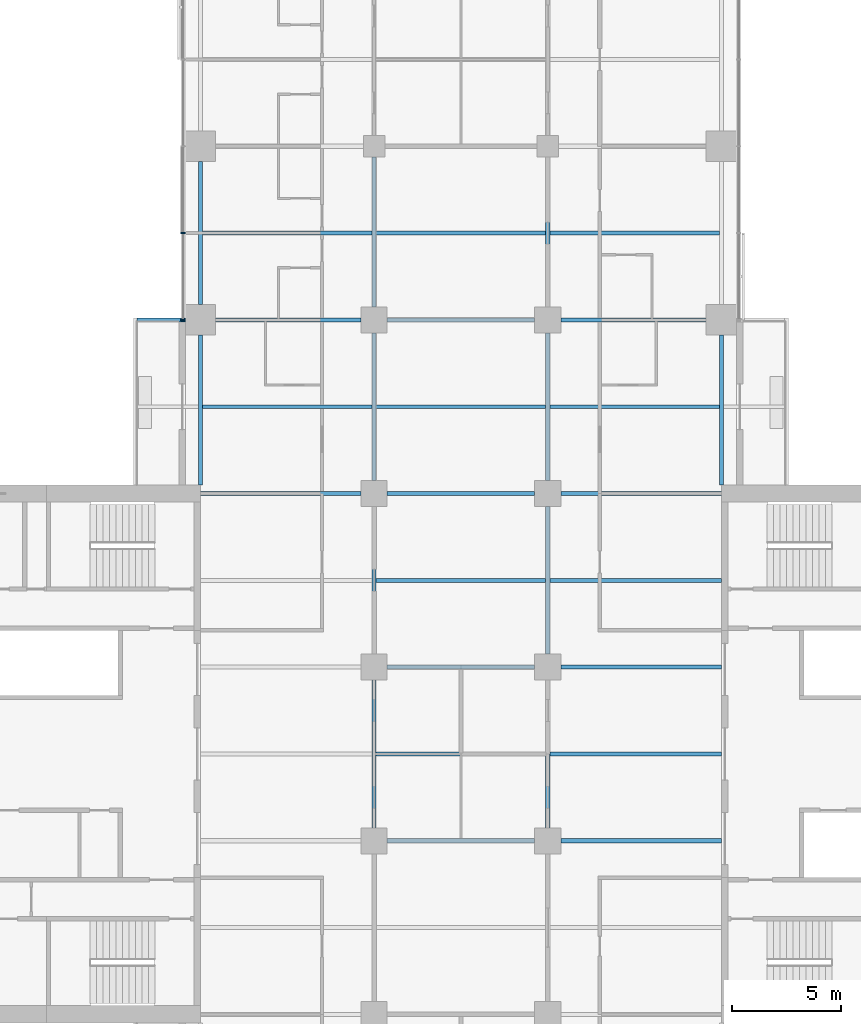
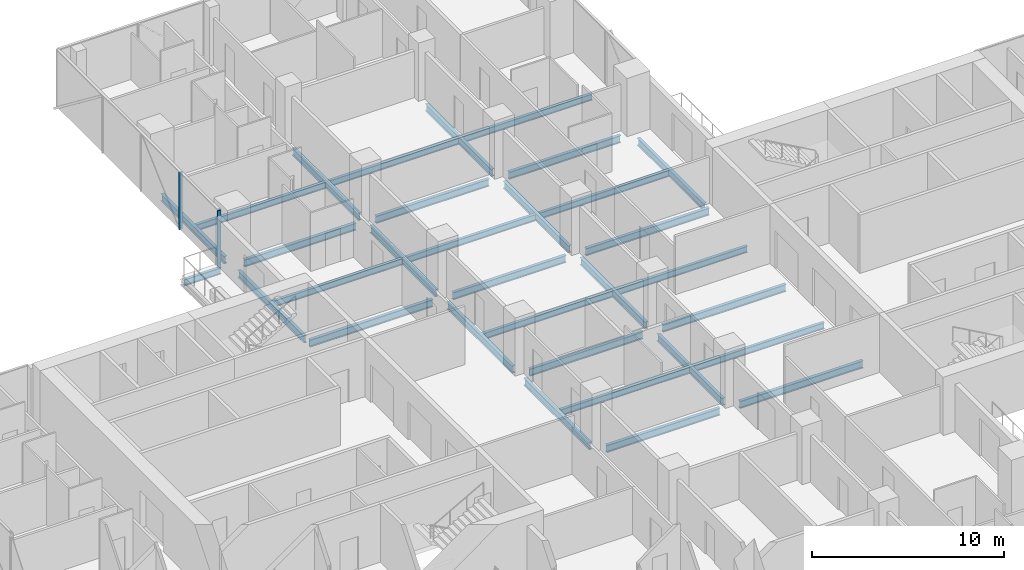
# One storey, part 9 of 27: 32 beams, 2 members, 1 element without a shape of its own.
"""IFC4 building model written with IfcOpenShell, lengths in metres."""

from ifc_helpers import new_model, si_unit, direction, frame, origin, origin_2d, place, context, subcontext, project, spatial, rectangle, i_section, extrude, material, material_profile, profile_set, type_object, element, aggregate, save


model = new_model("IFC4")

# Units and contexts
model_context = context("Model", 3, precision=1e-05, world=origin(), true_north=direction((0.0, 1.0)))
body_context = subcontext(model_context, "Body", "Model", "MODEL_VIEW")
ifc_project = project(units=[si_unit("LENGTHUNIT", "METRE"), si_unit("AREAUNIT", "SQUARE_METRE"), si_unit("VOLUMEUNIT", "CUBIC_METRE"), si_unit("PLANEANGLEUNIT", "RADIAN"), si_unit("MASSUNIT", "GRAM", prefix="KILO")], contexts=[model_context])

# Site, building, storey
site_placement = place(None, origin())
site = spatial("IfcSite", under=ifc_project, at=site_placement, CompositionType="ELEMENT")
building_placement = place(site_placement, origin())
building = spatial("IfcBuilding", under=site, at=building_placement, Name="Crosswind Convention Tower", CompositionType="ELEMENT")
storey_placement = place(building_placement, frame((0.0, 0.0, 90.5)))
storey = spatial("IfcBuildingStorey", under=building, at=storey_placement, Name="L17", CompositionType="ELEMENT", Elevation=90.5)

# Beams
ifc_material_1 = material(Name="Steel S355", Category="steel")
ifc_material_profile_1 = material_profile(ifc_material_1, i_section(OverallWidth=0.177734375, OverallDepth=0.406494140625, WebThickness=0.0078125, FlangeThickness=0.0126953125, FilletRadius=0.01025390625, at=origin_2d()), Name="UB 406x178x60")
ifc_profile_set_1 = profile_set([ifc_material_profile_1], Name="Steel S355")
beam_type_1 = type_object("IfcBeamType", Name="Balcony cantilever UB 406x178x60", PredefinedType="BEAM", material=ifc_profile_set_1)
beam_1_placement = place(storey_placement, frame((112.300048828125, 120.0, -0.483154296875), z_axis=(-1.0, 0.0, 0.0), x_axis=(0.0, -1.0, 0.0)))
element("IfcBeam", 1, at=beam_1_placement, inside=storey, type_object=beam_type_1, Name="B35 L17 balcony cantilever NW 5", PredefinedType="BEAM", context=body_context, shape_type="SweptSolid", body=[
    extrude(i_section(OverallWidth=0.177734375, OverallDepth=0.406494140625, WebThickness=0.0078125, FlangeThickness=0.0126953125, FilletRadius=0.01025390625, at=origin_2d()), origin(), (0.0, 0.0, 1.0), 2.214599609375),
])
ifc_material_profile_2 = material_profile(ifc_material_1, i_section(OverallWidth=0.1904296875, OverallDepth=0.457275390625, WebThickness=0.009033203125, FlangeThickness=0.014404296875, FilletRadius=0.01025390625, at=origin_2d()), Name="UB 457x191x75")
ifc_profile_set_2 = profile_set([ifc_material_profile_2], Name="Steel S355")
beam_type_2 = type_object("IfcBeamType", Name="Edge beam UB 457x191x75", PredefinedType="SPANDREL", material=ifc_profile_set_2)
beam_2_placement = place(storey_placement, frame((113.0, 112.39990234375, -0.508544921875), z_axis=(0.0, 1.0, 0.0), x_axis=(-1.0, 0.0, 0.0)))
element("IfcBeam", 2, at=beam_2_placement, inside=storey, type_object=beam_type_2, Name="B17 L17 edge beam 9", PredefinedType="SPANDREL", context=body_context, shape_type="SweptSolid", body=[
    extrude(i_section(OverallWidth=0.1904296875, OverallDepth=0.457275390625, WebThickness=0.009033203125, FlangeThickness=0.014404296875, FilletRadius=0.01025390625, at=origin_2d()), origin(), (0.0, 0.0, 1.0), 6.900146484375),
])
beam_3_placement = place(storey_placement, frame((113.0, 120.699951171875, -0.508544921875), z_axis=(0.0, 1.0, 0.0), x_axis=(-1.0, 0.0, 0.0)))
element("IfcBeam", 3, at=beam_3_placement, inside=storey, type_object=beam_type_2, Name="B17 L17 edge beam 10", PredefinedType="SPANDREL", context=body_context, shape_type="SweptSolid", body=[
    extrude(i_section(OverallWidth=0.1904296875, OverallDepth=0.457275390625, WebThickness=0.009033203125, FlangeThickness=0.014404296875, FilletRadius=0.01025390625, at=origin_2d()), origin(), (0.0, 0.0, 1.0), 6.60009765625),
])
beam_4_placement = place(storey_placement, frame((137.0, 112.39990234375, -0.508544921875), z_axis=(0.0, 1.0, 0.0), x_axis=(-1.0, 0.0, 0.0)))
element("IfcBeam", 4, at=beam_4_placement, inside=storey, type_object=beam_type_2, Name="B17 L17 edge beam 21", PredefinedType="SPANDREL", context=body_context, shape_type="SweptSolid", body=[
    extrude(i_section(OverallWidth=0.1904296875, OverallDepth=0.457275390625, WebThickness=0.009033203125, FlangeThickness=0.014404296875, FilletRadius=0.01025390625, at=origin_2d()), origin(), (0.0, 0.0, 1.0), 6.900146484375),
])
ifc_material_profile_3 = material_profile(ifc_material_1, i_section(OverallWidth=0.19140625, OverallDepth=0.460205078125, WebThickness=0.010009765625, FlangeThickness=0.01611328125, FilletRadius=0.01025390625, at=origin_2d()), Name="UB 457x191x82")
ifc_profile_set_3 = profile_set([ifc_material_profile_3], Name="Steel S355")
beam_type_3 = type_object("IfcBeamType", Name="Girder UB 457x191x82", PredefinedType="BEAM", material=ifc_profile_set_3)
beam_5_placement = place(storey_placement, frame((113.699951171875, 120.0, -0.510009765625), z_axis=(1.0, 0.0, 0.0), x_axis=(0.0, 1.0, 0.0)))
element("IfcBeam", 5, at=beam_5_placement, inside=storey, type_object=beam_type_3, Name="B3 L17 girder 3", PredefinedType="BEAM", context=body_context, shape_type="SweptSolid", body=[
    extrude(i_section(OverallWidth=0.19140625, OverallDepth=0.460205078125, WebThickness=0.010009765625, FlangeThickness=0.01611328125, FilletRadius=0.01025390625, at=origin_2d()), origin(), (0.0, 0.0, 1.0), 6.699951171875),
])
for number, where, z_axis, x_axis, name in (
    (6, (121.0, 96.60009765625, -0.510009765625), (0.0, 1.0, 0.0), (-1.0, 0.0, 0.0), "B3 L17 girder 9"),
    (7, (121.0, 104.60009765625, -0.510009765625), (0.0, 1.0, 0.0), (-1.0, 0.0, 0.0), "B3 L17 girder 10"),
    (8, (121.0, 112.60009765625, -0.510009765625), (0.0, 1.0, 0.0), (-1.0, 0.0, 0.0), "B3 L17 girder 11"),
):
    element("IfcBeam", number, at=place(storey_placement, frame(where, z_axis=z_axis, x_axis=x_axis)), inside=storey, type_object=beam_type_3, Name=name, PredefinedType="BEAM", context=body_context, shape_type="SweptSolid", body=[
        extrude(i_section(OverallWidth=0.19140625, OverallDepth=0.460205078125, WebThickness=0.010009765625, FlangeThickness=0.01611328125, FilletRadius=0.01025390625, at=origin_2d()), origin(), (0.0, 0.0, 1.0), 6.7998046875),
    ])
beam_6_placement = place(storey_placement, frame((121.0, 120.60009765625, -0.510009765625), z_axis=(0.0, 1.0, 0.0), x_axis=(-1.0, 0.0, 0.0)))
element("IfcBeam", 9, at=beam_6_placement, inside=storey, type_object=beam_type_3, Name="B3 L17 girder 12", PredefinedType="BEAM", context=body_context, shape_type="SweptSolid", body=[
    extrude(i_section(OverallWidth=0.19140625, OverallDepth=0.460205078125, WebThickness=0.010009765625, FlangeThickness=0.01611328125, FilletRadius=0.01025390625, at=origin_2d()), origin(), (0.0, 0.0, 1.0), 6.89990234375),
])
for number, where, z_axis, x_axis, name in (
    (10, (121.60009765625, 96.0, -0.510009765625), (1.0, 0.0, 0.0), (0.0, 1.0, 0.0), "B3 L17 girder 18"),
    (11, (121.60009765625, 104.0, -0.510009765625), (1.0, 0.0, 0.0), (0.0, 1.0, 0.0), "B3 L17 girder 19"),
    (12, (121.60009765625, 112.0, -0.510009765625), (1.0, 0.0, 0.0), (0.0, 1.0, 0.0), "B3 L17 girder 20"),
    (13, (121.60009765625, 120.0, -0.510009765625), (1.0, 0.0, 0.0), (0.0, 1.0, 0.0), "B3 L17 girder 21"),
    (14, (129.0, 96.60009765625, -0.510009765625), (0.0, 1.0, 0.0), (-1.0, 0.0, 0.0), "B3 L17 girder 26"),
    (15, (129.0, 104.60009765625, -0.510009765625), (0.0, 1.0, 0.0), (-1.0, 0.0, 0.0), "B3 L17 girder 27"),
    (16, (129.0, 112.60009765625, -0.510009765625), (0.0, 1.0, 0.0), (-1.0, 0.0, 0.0), "B3 L17 girder 28"),
):
    element("IfcBeam", number, at=place(storey_placement, frame(where, z_axis=z_axis, x_axis=x_axis)), inside=storey, type_object=beam_type_3, Name=name, PredefinedType="BEAM", context=body_context, shape_type="SweptSolid", body=[
        extrude(i_section(OverallWidth=0.19140625, OverallDepth=0.460205078125, WebThickness=0.010009765625, FlangeThickness=0.01611328125, FilletRadius=0.01025390625, at=origin_2d()), origin(), (0.0, 0.0, 1.0), 6.7998046875),
    ])
beam_7_placement = place(storey_placement, frame((129.0, 120.60009765625, -0.510009765625), z_axis=(0.0, 1.0, 0.0), x_axis=(-1.0, 0.0, 0.0)))
element("IfcBeam", 17, at=beam_7_placement, inside=storey, type_object=beam_type_3, Name="B3 L17 girder 29", PredefinedType="BEAM", context=body_context, shape_type="SweptSolid", body=[
    extrude(i_section(OverallWidth=0.19140625, OverallDepth=0.460205078125, WebThickness=0.010009765625, FlangeThickness=0.01611328125, FilletRadius=0.01025390625, at=origin_2d()), origin(), (0.0, 0.0, 1.0), 6.89990234375),
])
beam_8_placement = place(storey_placement, frame((129.60009765625, 120.0, -0.510009765625), z_axis=(1.0, 0.0, 0.0), x_axis=(0.0, 1.0, 0.0)))
element("IfcBeam", 18, at=beam_8_placement, inside=storey, type_object=beam_type_3, Name="B3 L17 girder 34", PredefinedType="BEAM", context=body_context, shape_type="SweptSolid", body=[
    extrude(i_section(OverallWidth=0.19140625, OverallDepth=0.460205078125, WebThickness=0.010009765625, FlangeThickness=0.01611328125, FilletRadius=0.01025390625, at=origin_2d()), origin(), (0.0, 0.0, 1.0), 6.699951171875),
])
ifc_material_profile_4 = material_profile(ifc_material_1, i_section(OverallWidth=0.19189453125, OverallDepth=0.463623046875, WebThickness=0.010498046875, FlangeThickness=0.017578125, FilletRadius=0.01025390625, at=origin_2d()), Name="UB 457x191x90")
ifc_profile_set_4 = profile_set([ifc_material_profile_4], Name="Steel S355")
beam_type_4 = type_object("IfcBeamType", Name="Girder at core wall UB 457x191x90", PredefinedType="BEAM", material=ifc_profile_set_4)
for number, where, z_axis, x_axis, name in (
    (19, (113.0, 112.0, -0.51171875), (1.0, 0.0, 0.0), (0.0, 1.0, 0.0), "B24 L17 girder at core wall 6"),
    (20, (129.60009765625, 96.0, -0.51171875), (1.0, 0.0, 0.0), (0.0, 1.0, 0.0), "B24 L17 girder at core wall 8"),
    (21, (129.60009765625, 104.0, -0.51171875), (1.0, 0.0, 0.0), (0.0, 1.0, 0.0), "B24 L17 girder at core wall 9"),
    (22, (129.60009765625, 112.0, -0.51171875), (1.0, 0.0, 0.0), (0.0, 1.0, 0.0), "B24 L17 girder at core wall 10"),
):
    element("IfcBeam", number, at=place(storey_placement, frame(where, z_axis=z_axis, x_axis=x_axis)), inside=storey, type_object=beam_type_4, Name=name, PredefinedType="BEAM", context=body_context, shape_type="SweptSolid", body=[
        extrude(i_section(OverallWidth=0.19189453125, OverallDepth=0.463623046875, WebThickness=0.010498046875, FlangeThickness=0.017578125, FilletRadius=0.01025390625, at=origin_2d()), origin(), (0.0, 0.0, 1.0), 7.39990234375),
    ])

# Curtain wall, members
ifc_material_2 = material(Name="Aluminium unitised curtain wall", Category="aluminium")
curtain_wall_type = type_object("IfcCurtainWallType", Name="HOTEL UNITISED WALL 200", PredefinedType="USERDEFINED", material=ifc_material_2)
curtain_wall_placement = place(storey_placement, origin())
curtain_wall = element("IfcCurtainWall", 23, at=curtain_wall_placement, inside=storey, type_object=curtain_wall_type, Name="CW2 L17 N-W 1", ObjectType="UNITISED", PredefinedType="USERDEFINED")
ifc_material_3 = material(Name="Aluminium mullion", Category="aluminium")
ifc_material_profile_5 = material_profile(ifc_material_3, rectangle(XDim=0.199951171875, YDim=0.06494140625, at=origin_2d()), Name="AL 200X65")
ifc_profile_set_5 = profile_set([ifc_material_profile_5], Name="Aluminium mullion")
member_type = type_object("IfcMemberType", Name="MULLION 65X200", PredefinedType="MULLION", material=ifc_profile_set_5)
member_1_placement = place(storey_placement, frame((112.199951171875, 124.0, -0.280029296875), z_axis=(0.0, 0.0, 1.0), x_axis=(-1.0, 0.0, 0.0)))
member_1 = element("IfcMember", 24, at=member_1_placement, type_object=member_type, Name="CW2 mullion 4", PredefinedType="MULLION", context=body_context, shape_type="SweptSolid", body=[
    extrude(rectangle(XDim=0.199951171875, YDim=0.06494140625, at=origin_2d()), origin(), (0.0, 0.0, 1.0), 3.635009765625),
])
member_2_placement = place(storey_placement, frame((112.199951171875, 120.0, -0.280029296875), z_axis=(0.0, 0.0, 1.0), x_axis=(-1.0, 0.0, 0.0)))
member_2 = element("IfcMember", 25, at=member_2_placement, type_object=member_type, Name="CW2 mullion 5", PredefinedType="MULLION", context=body_context, shape_type="SweptSolid", body=[
    extrude(rectangle(XDim=0.199951171875, YDim=0.06494140625, at=origin_2d()), origin(), (0.0, 0.0, 1.0), 3.635009765625),
])
aggregate(curtain_wall, [member_1, member_2])

# Beams
ifc_material_profile_6 = material_profile(ifc_material_1, i_section(OverallWidth=0.177734375, OverallDepth=0.406494140625, WebThickness=0.0078125, FlangeThickness=0.0126953125, FilletRadius=0.01025390625, at=origin_2d()), Name="UB 406x178x60")
ifc_profile_set_6 = profile_set([ifc_material_profile_6], Name="Steel S355")
beam_type_5 = type_object("IfcBeamType", Name="Secondary beam UB 406x178x60", PredefinedType="JOIST", material=ifc_profile_set_6)
for number, where, z_axis, x_axis, name in (
    (26, (113.09521484375, 116.0, -0.483154296875), (1.0, 0.0, 0.0), (0.0, 1.0, 0.0), "B10 L17 secondary beam 10"),
    (27, (113.09521484375, 124.0, -0.483154296875), (1.0, 0.0, 0.0), (0.0, 1.0, 0.0), "B10 L17 secondary beam 11"),
):
    element("IfcBeam", number, at=place(storey_placement, frame(where, z_axis=z_axis, x_axis=x_axis)), inside=storey, type_object=beam_type_5, Name=name, PredefinedType="JOIST", context=body_context, shape_type="SweptSolid", body=[
        extrude(i_section(OverallWidth=0.177734375, OverallDepth=0.406494140625, WebThickness=0.0078125, FlangeThickness=0.0126953125, FilletRadius=0.01025390625, at=origin_2d()), origin(), (0.0, 0.0, 1.0), 7.80908203125),
    ])
for number, where, z_axis, x_axis, name in (
    (28, (121.095703125, 100.0, -0.483154296875), (1.0, 0.0, 0.0), (0.0, 1.0, 0.0), "B10 L17 secondary beam 17"),
    (29, (121.095703125, 108.0, -0.483154296875), (1.0, 0.0, 0.0), (0.0, 1.0, 0.0), "B10 L17 secondary beam 18"),
    (30, (121.095703125, 116.0, -0.483154296875), (1.0, 0.0, 0.0), (0.0, 1.0, 0.0), "B10 L17 secondary beam 19"),
    (31, (121.095703125, 124.0, -0.483154296875), (1.0, 0.0, 0.0), (0.0, 1.0, 0.0), "B10 L17 secondary beam 20"),
):
    element("IfcBeam", number, at=place(storey_placement, frame(where, z_axis=z_axis, x_axis=x_axis)), inside=storey, type_object=beam_type_5, Name=name, PredefinedType="JOIST", context=body_context, shape_type="SweptSolid", body=[
        extrude(i_section(OverallWidth=0.177734375, OverallDepth=0.406494140625, WebThickness=0.0078125, FlangeThickness=0.0126953125, FilletRadius=0.01025390625, at=origin_2d()), origin(), (0.0, 0.0, 1.0), 7.80859375),
    ])
for number, where, z_axis, x_axis, name in (
    (32, (129.095703125, 100.0, -0.483154296875), (1.0, 0.0, 0.0), (0.0, 1.0, 0.0), "B10 L17 secondary beam 26"),
    (33, (129.095703125, 108.0, -0.483154296875), (1.0, 0.0, 0.0), (0.0, 1.0, 0.0), "B10 L17 secondary beam 27"),
):
    element("IfcBeam", number, at=place(storey_placement, frame(where, z_axis=z_axis, x_axis=x_axis)), inside=storey, type_object=beam_type_5, Name=name, PredefinedType="JOIST", context=body_context, shape_type="SweptSolid", body=[
        extrude(i_section(OverallWidth=0.177734375, OverallDepth=0.406494140625, WebThickness=0.0078125, FlangeThickness=0.0126953125, FilletRadius=0.01025390625, at=origin_2d()), origin(), (0.0, 0.0, 1.0), 7.904296875),
    ])
for number, where, z_axis, x_axis, name in (
    (34, (129.095703125, 116.0, -0.483154296875), (1.0, 0.0, 0.0), (0.0, 1.0, 0.0), "B10 L17 secondary beam 28"),
    (35, (129.095703125, 124.0, -0.483154296875), (1.0, 0.0, 0.0), (0.0, 1.0, 0.0), "B10 L17 secondary beam 29"),
):
    element("IfcBeam", number, at=place(storey_placement, frame(where, z_axis=z_axis, x_axis=x_axis)), inside=storey, type_object=beam_type_5, Name=name, PredefinedType="JOIST", context=body_context, shape_type="SweptSolid", body=[
        extrude(i_section(OverallWidth=0.177734375, OverallDepth=0.406494140625, WebThickness=0.0078125, FlangeThickness=0.0126953125, FilletRadius=0.01025390625, at=origin_2d()), origin(), (0.0, 0.0, 1.0), 7.80908203125),
    ])

save(model, "model.ifc")
